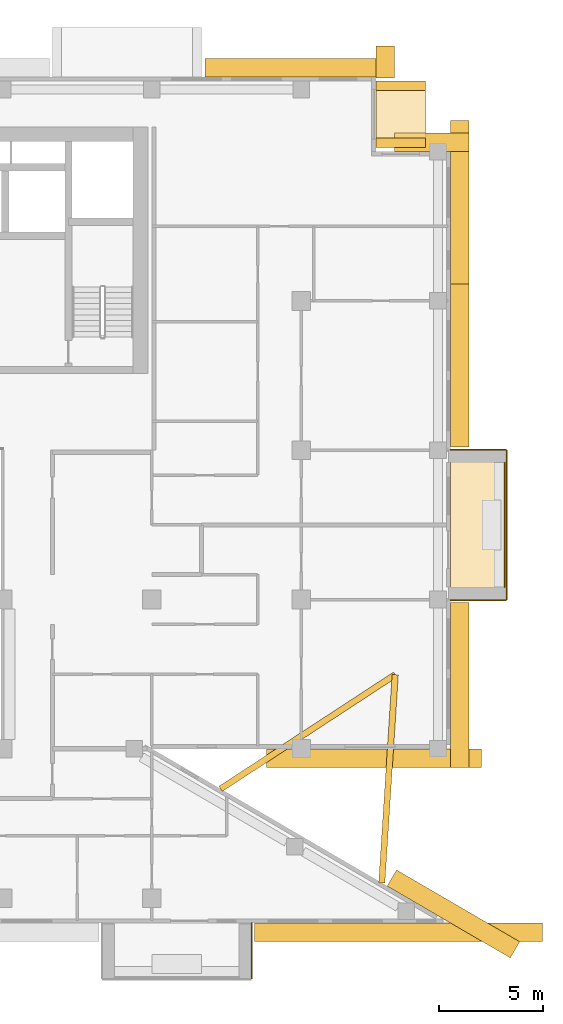
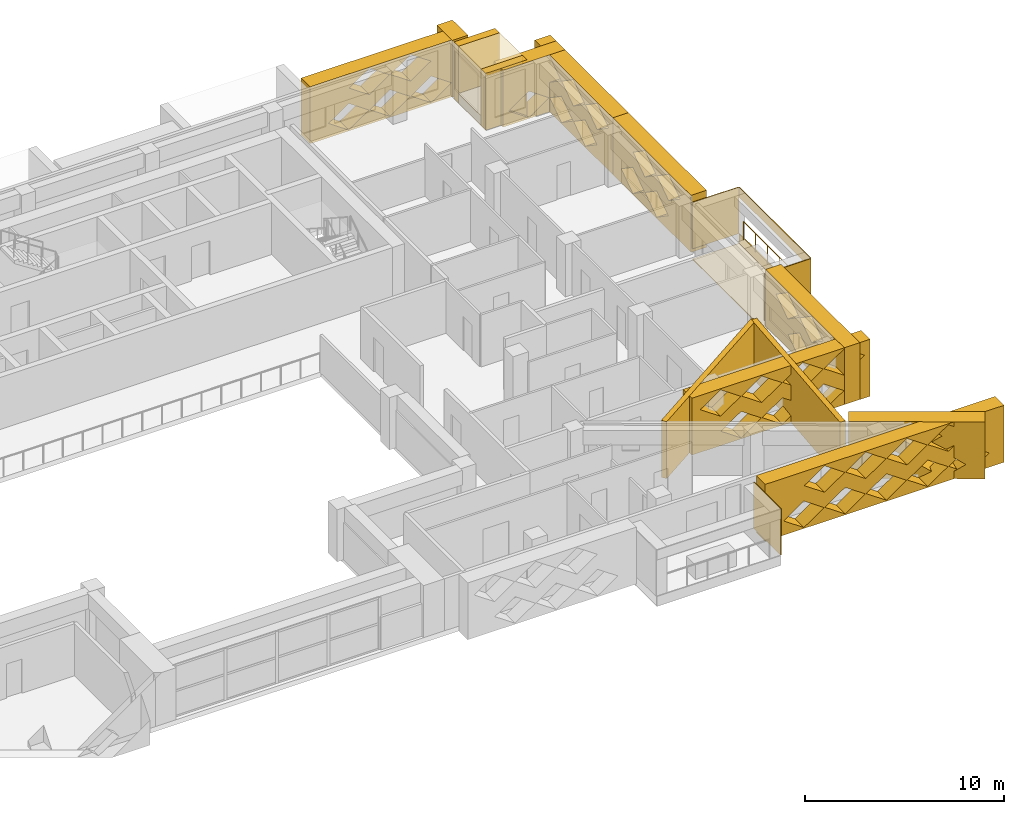
# One storey, part 20 of 20: 21 coverings, 1 railing.
"""IFC4 building model written with IfcOpenShell, lengths in metres."""

from ifc_helpers import new_model, si_unit, direction, frame, origin, origin_2d, place, context, subcontext, project, spatial, polyline, circle, outline, extrude, material, layer, layer_set, type_object, element, save


model = new_model("IFC4")

# Units and contexts
model_context = context("Model", 3, precision=1e-05, world=origin(), true_north=direction((0.0, 1.0)))
body_context = subcontext(model_context, "Body", "Model", "MODEL_VIEW")
ifc_project = project(units=[si_unit("LENGTHUNIT", "METRE"), si_unit("AREAUNIT", "SQUARE_METRE"), si_unit("VOLUMEUNIT", "CUBIC_METRE"), si_unit("PLANEANGLEUNIT", "RADIAN"), si_unit("MASSUNIT", "GRAM", prefix="KILO")], contexts=[model_context])

# Site, building, storey
site_placement = place(None, origin())
site = spatial("IfcSite", under=ifc_project, at=site_placement, CompositionType="ELEMENT")
building_placement = place(site_placement, origin())
building = spatial("IfcBuilding", under=site, at=building_placement, Name="Saffron Iwan Residences", CompositionType="ELEMENT")
storey_placement = place(building_placement, frame((0.0, 0.0, 181.5)))
storey = spatial("IfcBuildingStorey", under=building, at=storey_placement, Name="L48", CompositionType="ELEMENT", Elevation=181.5)

# Railing
ifc_material_1 = material(Name="Stainless steel 316", Category="steel")
railing_type = type_object("IfcRailingType", Name="BALCONY GUARD 1150", PredefinedType="GUARDRAIL", material=ifc_material_1)
railing_placement = place(storey_placement, frame((89.02490234375, 55.800048828125, 0.0)))
element("IfcRailing", 1, at=railing_placement, inside=storey, type_object=railing_type, Name="Balcony guard L48 F2-0", PredefinedType="GUARDRAIL", context=body_context, shape_type="SweptSolid", body=[
    extrude(circle(Radius=0.02392578125, at=origin_2d()), frame((0.0, 0.0, 1.1259765625), z_axis=(0.0, 1.0, 0.0), x_axis=(-1.0, 0.0, 0.0)), (0.0, 0.0, 1.0), 6.0),
    extrude(circle(Radius=0.02099609375, at=origin_2d()), origin(), (0.0, 0.0, 1.0), 1.101806640625),
    extrude(circle(Radius=0.02099609375, at=origin_2d()), frame((0.0, 1.199951171875, 0.0)), (0.0, 0.0, 1.0), 1.101806640625),
    extrude(circle(Radius=0.02099609375, at=origin_2d()), frame((0.0, 2.39990234375, 0.0)), (0.0, 0.0, 1.0), 1.101806640625),
    extrude(circle(Radius=0.02099609375, at=origin_2d()), frame((0.0, 3.60009765625, 0.0)), (0.0, 0.0, 1.0), 1.101806640625),
    extrude(circle(Radius=0.02099609375, at=origin_2d()), frame((0.0, 4.800048828125, 0.0)), (0.0, 0.0, 1.0), 1.101806640625),
    extrude(circle(Radius=0.02099609375, at=origin_2d()), frame((0.0, 6.0, 0.0)), (0.0, 0.0, 1.0), 1.101806640625),
])

# Coverings
ifc_material_2 = material(Name="Precast concrete C40/50 white painted", Category="concrete")
ifc_layer_1 = layer(ifc_material_2, 0.050048828125)
ifc_layer_set_1 = layer_set([ifc_layer_1], Name="Precast concrete C40/50 white painted")
covering_type_1 = type_object("IfcCoveringType", Name="FRAME SKIN PRECAST WHITE 50", PredefinedType="CLADDING", material=ifc_layer_set_1)
for number, where, name in (
    (2, (0.0, 0.0, -0.60009765625), "Frame skin slab edge L48 F2-0"),
    (3, (0.0, 0.0, 2.25), "Frame skin fascia L48 F2-0"),
):
    element("IfcCovering", number, at=place(storey_placement, frame(where)), inside=storey, type_object=covering_type_1, Name=name, PredefinedType="CLADDING", context=body_context, shape_type="SweptSolid", body=[
        extrude(outline(polyline([(89.14990234375, 55.199951171875), (89.14990234375, 62.39990234375), (89.10009765625, 62.39990234375), (89.10009765625, 55.199951171875), (89.14990234375, 55.199951171875)])), origin(), (0.0, 0.0, 1.0), 0.60009765625),
    ])
covering_1_placement = place(storey_placement, frame((0.0, 0.0, -0.64990234375)))
element("IfcCovering", 4, at=covering_1_placement, inside=storey, type_object=covering_type_1, Name="Frame skin soffit L48 F2-0", PredefinedType="CLADDING", context=body_context, shape_type="SweptSolid", body=[
    extrude(outline(polyline([(89.10009765625, 55.199951171875), (89.10009765625, 62.39990234375), (86.39990234375, 62.39990234375), (86.39990234375, 55.199951171875), (89.10009765625, 55.199951171875)])), origin(), (0.0, 0.0, 1.0), 0.0498046875),
])
covering_2_placement = place(storey_placement, origin())
element("IfcCovering", 5, at=covering_2_placement, inside=storey, type_object=covering_type_1, Name="Frame skin fin L48 F2-0a", PredefinedType="CLADDING", context=body_context, shape_type="SweptSolid", body=[
    extrude(outline(polyline([(89.10009765625, 55.14990234375), (89.10009765625, 55.199951171875), (86.39990234375, 55.199951171875), (86.39990234375, 55.14990234375), (89.10009765625, 55.14990234375)])), origin(), (0.0, 0.0, 1.0), 2.85009765625),
])
covering_3_placement = place(storey_placement, origin())
element("IfcCovering", 6, at=covering_3_placement, inside=storey, type_object=covering_type_1, Name="Frame skin fin L48 F2-0b", PredefinedType="CLADDING", context=body_context, shape_type="SweptSolid", body=[
    extrude(outline(polyline([(89.10009765625, 62.39990234375), (89.10009765625, 62.449951171875), (86.39990234375, 62.449951171875), (86.39990234375, 62.39990234375), (89.10009765625, 62.39990234375)])), origin(), (0.0, 0.0, 1.0), 2.85009765625),
])
covering_4_placement = place(storey_placement, origin())
element("IfcCovering", 7, at=covering_4_placement, inside=storey, type_object=covering_type_1, Name="Frame skin fin L48 11-1b", PredefinedType="CLADDING", context=body_context, shape_type="SweptSolid", body=[
    extrude(outline(polyline([(76.800048828125, 36.89990234375), (76.85009765625, 36.89990234375), (76.85009765625, 39.60009765625), (76.800048828125, 39.60009765625), (76.800048828125, 36.89990234375)])), origin(), (0.0, 0.0, 1.0), 2.85009765625),
])
ifc_material_3 = material(Name="Precast concrete C40/50", Category="concrete")
covering_type_2 = type_object("IfcCoveringType", Name="OUTER SKIN LATTICE SCREEN", PredefinedType="CLADDING", material=ifc_material_3)
covering_5_placement = place(storey_placement, frame((89.283935546875, 37.917724609375, -0.300048828125), z_axis=(0.503803550485, 0.863818257806, 0.0), x_axis=(-0.863818257806, 0.503803550485, 0.0)))
element("IfcCovering", 8, at=covering_5_placement, inside=storey, type_object=covering_type_2, Name="OUTER SKIN lattice screen L48 F0.0", PredefinedType="CLADDING", context=body_context, shape_type="SweptSolid", body=[
    extrude(outline(polyline([(0.0, 0.0), (6.874267578125, 0.0), (6.874267578125, 3.5), (0.0, 3.5), (0.0, 0.0)]), holes=[polyline([(0.958740234375, 0.875), (2.138671875, 0.06005859375), (3.318603515625, 0.875), (2.138671875, 1.68994140625), (0.958740234375, 0.875)]), polyline([(3.358642578125, 0.875), (4.538818359375, 0.06005859375), (5.71875, 0.875), (4.538818359375, 1.68994140625), (3.358642578125, 0.875)]), polyline([(2.15869140625, 2.625), (3.338623046875, 1.81005859375), (4.518798828125, 2.625), (3.338623046875, 3.43994140625), (2.15869140625, 2.625)])]), origin(), (0.0, 0.0, 1.0), 0.89990234375),
])
covering_6_placement = place(storey_placement, frame((77.538818359375, 48.0, -0.300048828125), z_axis=(0.0, -1.0, 0.0), x_axis=(1.0, 0.0, 0.0)))
element("IfcCovering", 9, at=covering_6_placement, inside=storey, type_object=covering_type_2, Name="OUTER SKIN lattice screen L48 F1.0", PredefinedType="CLADDING", context=body_context, shape_type="SweptSolid", body=[
    extrude(outline(polyline([(0.0, 0.0), (10.361328125, 0.0), (10.361328125, 3.5), (0.0, 3.5), (0.0, 0.0)]), holes=[polyline([(1.681396484375, 0.875), (2.861328125, 0.06005859375), (4.041259765625, 0.875), (2.861328125, 1.68994140625), (1.681396484375, 0.875)]), polyline([(4.081298828125, 0.875), (5.26123046875, 0.06005859375), (6.44140625, 0.875), (5.26123046875, 1.68994140625), (4.081298828125, 0.875)]), polyline([(6.481201171875, 0.875), (7.661376953125, 0.06005859375), (8.84130859375, 0.875), (7.661376953125, 1.68994140625), (6.481201171875, 0.875)]), polyline([(0.481201171875, 2.625), (1.661376953125, 1.81005859375), (2.84130859375, 2.625), (1.661376953125, 3.43994140625), (0.481201171875, 2.625)]), polyline([(2.88134765625, 2.625), (4.061279296875, 1.81005859375), (5.2412109375, 2.625), (4.061279296875, 3.43994140625), (2.88134765625, 2.625)]), polyline([(5.28125, 2.625), (6.461181640625, 1.81005859375), (7.641357421875, 2.625), (6.461181640625, 3.43994140625), (5.28125, 2.625)]), polyline([(7.681396484375, 2.625), (8.861328125, 1.81005859375), (10.041259765625, 2.625), (8.861328125, 3.43994140625), (7.681396484375, 2.625)])]), origin(), (0.0, 0.0, 1.0), 0.89990234375),
])
covering_7_placement = place(storey_placement, frame((86.39990234375, 47.10009765625, -0.300048828125), z_axis=(1.0, 0.0, 0.0), x_axis=(0.0, 1.0, 0.0)))
element("IfcCovering", 10, at=covering_7_placement, inside=storey, type_object=covering_type_2, Name="OUTER SKIN lattice screen L48 F2.0", PredefinedType="CLADDING", context=body_context, shape_type="SweptSolid", body=[
    extrude(outline(polyline([(0.0, 0.0), (7.949951171875, 0.0), (7.949951171875, 3.5), (0.0, 3.5), (0.0, 0.0)]), holes=[polyline([(0.919921875, 0.875), (2.10009765625, 0.06005859375), (3.280029296875, 0.875), (2.10009765625, 1.68994140625), (0.919921875, 0.875)]), polyline([(3.320068359375, 0.875), (4.5, 0.06005859375), (5.679931640625, 0.875), (4.5, 1.68994140625), (3.320068359375, 0.875)]), polyline([(2.1201171875, 2.625), (3.300048828125, 1.81005859375), (4.47998046875, 2.625), (3.300048828125, 3.43994140625), (2.1201171875, 2.625)]), polyline([(4.52001953125, 2.625), (5.699951171875, 1.81005859375), (6.8798828125, 2.625), (5.699951171875, 3.43994140625), (4.52001953125, 2.625)])]), origin(), (0.0, 0.0, 1.0), 0.900146484375),
])
covering_8_placement = place(storey_placement, frame((86.39990234375, 62.550048828125, -0.300048828125), z_axis=(1.0, 0.0, 0.0), x_axis=(0.0, 1.0, 0.0)))
element("IfcCovering", 11, at=covering_8_placement, inside=storey, type_object=covering_type_2, Name="OUTER SKIN lattice screen L48 F2.1", PredefinedType="CLADDING", context=body_context, shape_type="SweptSolid", body=[
    extrude(outline(polyline([(0.0, 0.0), (7.875, 0.0), (7.875, 3.5), (0.0, 3.5), (0.0, 0.0)]), holes=[polyline([(2.27001953125, 0.875), (3.449951171875, 0.06005859375), (4.6298828125, 0.875), (3.449951171875, 1.68994140625), (2.27001953125, 0.875)]), polyline([(4.669921875, 0.875), (5.85009765625, 0.06005859375), (7.030029296875, 0.875), (5.85009765625, 1.68994140625), (4.669921875, 0.875)]), polyline([(1.070068359375, 2.625), (2.25, 1.81005859375), (3.429931640625, 2.625), (2.25, 3.43994140625), (1.070068359375, 2.625)]), polyline([(3.469970703125, 2.625), (4.64990234375, 1.81005859375), (5.830078125, 2.625), (4.64990234375, 3.43994140625), (3.469970703125, 2.625)])]), origin(), (0.0, 0.0, 1.0), 0.900146484375),
])
covering_9_placement = place(storey_placement, frame((86.39990234375, 70.425048828125, -0.300048828125), z_axis=(1.0, 0.0, 0.0), x_axis=(0.0, 1.0, 0.0)))
element("IfcCovering", 12, at=covering_9_placement, inside=storey, type_object=covering_type_2, Name="OUTER SKIN lattice screen L48 F2.2", PredefinedType="CLADDING", context=body_context, shape_type="SweptSolid", body=[
    extrude(outline(polyline([(0.0, 0.0), (7.875, 0.0), (7.875, 3.5), (0.0, 3.5), (0.0, 0.0)]), holes=[polyline([(1.594970703125, 0.875), (2.77490234375, 0.06005859375), (3.955078125, 0.875), (2.77490234375, 1.68994140625), (1.594970703125, 0.875)]), polyline([(3.9951171875, 0.875), (5.175048828125, 0.06005859375), (6.35498046875, 0.875), (5.175048828125, 1.68994140625), (3.9951171875, 0.875)]), polyline([(0.39501953125, 2.625), (1.574951171875, 1.81005859375), (2.7548828125, 2.625), (1.574951171875, 3.43994140625), (0.39501953125, 2.625)]), polyline([(2.794921875, 2.625), (3.97509765625, 1.81005859375), (5.155029296875, 2.625), (3.97509765625, 3.43994140625), (2.794921875, 2.625)]), polyline([(5.195068359375, 2.625), (6.375, 1.81005859375), (7.554931640625, 2.625), (6.375, 3.43994140625), (5.195068359375, 2.625)])]), origin(), (0.0, 0.0, 1.0), 0.900146484375),
])
covering_10_placement = place(storey_placement, frame((87.300048828125, 76.800048828125, -0.300048828125), z_axis=(0.0, 1.0, 0.0), x_axis=(-1.0, 0.0, 0.0)))
element("IfcCovering", 13, at=covering_10_placement, inside=storey, type_object=covering_type_2, Name="OUTER SKIN lattice screen L48 F3.0", PredefinedType="CLADDING", context=body_context, shape_type="SweptSolid", body=[
    extrude(outline(polyline([(0.0, 0.0), (3.60009765625, 0.0), (3.60009765625, 3.5), (0.0, 3.5), (0.0, 0.0)]), holes=[polyline([(0.919921875, 0.875), (2.10009765625, 0.06005859375), (3.280029296875, 0.875), (2.10009765625, 1.68994140625), (0.919921875, 0.875)])]), origin(), (0.0, 0.0, 1.0), 0.89990234375),
])
covering_11_placement = place(storey_placement, frame((82.800048828125, 80.35009765625, -0.300048828125), z_axis=(1.0, 0.0, 0.0), x_axis=(0.0, 1.0, 0.0)))
element("IfcCovering", 14, at=covering_11_placement, inside=storey, type_object=covering_type_2, Name="OUTER SKIN lattice screen L48 F4.0", PredefinedType="CLADDING", context=body_context, shape_type="SweptSolid", body=[
    extrude(outline(polyline([(0.0, 0.0), (1.550048828125, 0.0), (1.550048828125, 3.5), (0.0, 3.5), (0.0, 0.0)])), origin(), (0.0, 0.0, 1.0), 0.89990234375),
])
covering_12_placement = place(storey_placement, frame((83.699951171875, 80.39990234375, -0.300048828125), z_axis=(0.0, 1.0, 0.0), x_axis=(-1.0, 0.0, 0.0)))
element("IfcCovering", 15, at=covering_12_placement, inside=storey, type_object=covering_type_2, Name="OUTER SKIN lattice screen L48 F5.0", PredefinedType="CLADDING", context=body_context, shape_type="SweptSolid", body=[
    extrude(outline(polyline([(0.0, 0.0), (9.14990234375, 0.0), (9.14990234375, 3.5), (0.0, 3.5), (0.0, 0.0)]), holes=[polyline([(0.919921875, 0.875), (2.10009765625, 0.06005859375), (3.280029296875, 0.875), (2.10009765625, 1.68994140625), (0.919921875, 0.875)]), polyline([(3.320068359375, 0.875), (4.5, 0.06005859375), (5.679931640625, 0.875), (4.5, 1.68994140625), (3.320068359375, 0.875)]), polyline([(5.719970703125, 0.875), (6.89990234375, 0.06005859375), (8.080078125, 0.875), (6.89990234375, 1.68994140625), (5.719970703125, 0.875)]), polyline([(2.1201171875, 2.625), (3.300048828125, 1.81005859375), (4.47998046875, 2.625), (3.300048828125, 3.43994140625), (2.1201171875, 2.625)]), polyline([(4.52001953125, 2.625), (5.699951171875, 1.81005859375), (6.8798828125, 2.625), (5.699951171875, 3.43994140625), (4.52001953125, 2.625)])]), origin(), (0.0, 0.0, 1.0), 0.900146484375),
])
covering_13_placement = place(storey_placement, frame((76.949951171875, 39.60009765625, -0.300048828125), z_axis=(0.0, -1.0, 0.0), x_axis=(1.0, 0.0, 0.0)))
element("IfcCovering", 16, at=covering_13_placement, inside=storey, type_object=covering_type_2, Name="OUTER SKIN lattice screen L48 F11.3", PredefinedType="CLADDING", context=body_context, shape_type="SweptSolid", body=[
    extrude(outline(polyline([(0.0, 0.0), (13.888671875, 0.0), (13.888671875, 3.5), (0.0, 3.5), (0.0, 0.0)]), holes=[polyline([(1.070068359375, 0.875), (2.25, 0.06005859375), (3.429931640625, 0.875), (2.25, 1.68994140625), (1.070068359375, 0.875)]), polyline([(3.469970703125, 0.875), (4.64990234375, 0.06005859375), (5.830078125, 0.875), (4.64990234375, 1.68994140625), (3.469970703125, 0.875)]), polyline([(5.8701171875, 0.875), (7.050048828125, 0.06005859375), (8.22998046875, 0.875), (7.050048828125, 1.68994140625), (5.8701171875, 0.875)]), polyline([(8.27001953125, 0.875), (9.449951171875, 0.06005859375), (10.6298828125, 0.875), (9.449951171875, 1.68994140625), (8.27001953125, 0.875)]), polyline([(10.669921875, 0.875), (11.85009765625, 0.06005859375), (13.030029296875, 0.875), (11.85009765625, 1.68994140625), (10.669921875, 0.875)]), polyline([(2.27001953125, 2.625), (3.449951171875, 1.81005859375), (4.6298828125, 2.625), (3.449951171875, 3.43994140625), (2.27001953125, 2.625)]), polyline([(4.669921875, 2.625), (5.85009765625, 1.81005859375), (7.030029296875, 2.625), (5.85009765625, 3.43994140625), (4.669921875, 2.625)]), polyline([(7.070068359375, 2.625), (8.25, 1.81005859375), (9.429931640625, 2.625), (8.25, 3.43994140625), (7.070068359375, 2.625)]), polyline([(9.469970703125, 2.625), (10.64990234375, 1.81005859375), (11.830078125, 2.625), (10.64990234375, 3.43994140625), (9.469970703125, 2.625)])]), origin(), (0.0, 0.0, 1.0), 0.900146484375),
])
ifc_layer_2 = layer(ifc_material_2, 0.300048828125)
ifc_layer_set_2 = layer_set([ifc_layer_2], Name="Precast concrete C40/50 white painted")
covering_type_3 = type_object("IfcCoveringType", Name="PROW NOSE BLADE PRECAST WHITE", PredefinedType="CLADDING", material=ifc_layer_set_2)
covering_14_placement = place(storey_placement, frame((0.0, 0.0, -0.300048828125)))
element("IfcCovering", 17, at=covering_14_placement, inside=storey, type_object=covering_type_3, Name="Prow nose blade L48 a", PredefinedType="CLADDING", context=body_context, shape_type="SweptSolid", body=[
    extrude(outline(polyline([(83.23681640625, 41.52294921875), (83.884521484375, 51.564453125), (83.585205078125, 51.583740234375), (82.937255859375, 41.542236328125), (83.23681640625, 41.52294921875)])), origin(), (0.0, 0.0, 1.0), 3.5),
])
covering_15_placement = place(storey_placement, frame((0.0, 0.0, -0.300048828125)))
element("IfcCovering", 18, at=covering_15_placement, inside=storey, type_object=covering_type_3, Name="Prow nose blade L48 b", PredefinedType="CLADDING", context=body_context, shape_type="SweptSolid", body=[
    extrude(outline(polyline([(75.39501953125, 45.94189453125), (83.81689453125, 51.448486328125), (83.65283203125, 51.69970703125), (75.23095703125, 46.193115234375), (75.39501953125, 45.94189453125)])), origin(), (0.0, 0.0, 1.0), 3.5),
])
covering_type_4 = type_object("IfcCoveringType", Name="WHITE SUN FRAME PRECAST", PredefinedType="CLADDING", material=ifc_material_2)
for number, where, z_axis, x_axis, name in (
    (19, (82.800048828125, 77.0, -0.300048828125), (1.0, 0.0, 0.0), (0.0, 1.0, 0.0), "Sun frame L48 F4 0.2a"),
    (20, (82.800048828125, 79.75, -0.300048828125), (1.0, 0.0, 0.0), (0.0, 1.0, 0.0), "Sun frame L48 F4 0.2b"),
):
    element("IfcCovering", number, at=place(storey_placement, frame(where, z_axis=z_axis, x_axis=x_axis)), inside=storey, type_object=covering_type_4, Name=name, PredefinedType="CLADDING", context=body_context, shape_type="SweptSolid", body=[
        extrude(outline(polyline([(0.0, 0.0), (0.449951171875, 0.0), (0.449951171875, 3.5), (0.0, 3.5), (0.0, 0.0)])), origin(), (0.0, 0.0, 1.0), 2.39990234375),
    ])
for number, where, z_axis, x_axis, name in (
    (21, (82.800048828125, 77.449951171875, 2.60009765625), (1.0, 0.0, 0.0), (0.0, 1.0, 0.0), "Sun frame L48 F4 0.2h"),
    (22, (82.800048828125, 77.449951171875, -0.300048828125), (1.0, 0.0, 0.0), (0.0, 1.0, 0.0), "Sun frame L48 F4 0.2s"),
):
    element("IfcCovering", number, at=place(storey_placement, frame(where, z_axis=z_axis, x_axis=x_axis)), inside=storey, type_object=covering_type_4, Name=name, PredefinedType="CLADDING", context=body_context, shape_type="SweptSolid", body=[
        extrude(outline(polyline([(0.0, 0.0), (2.300048828125, 0.0), (2.300048828125, 0.60009765625), (0.0, 0.60009765625), (0.0, 0.0)])), origin(), (0.0, 0.0, 1.0), 2.39990234375),
    ])

save(model, "model.ifc")
